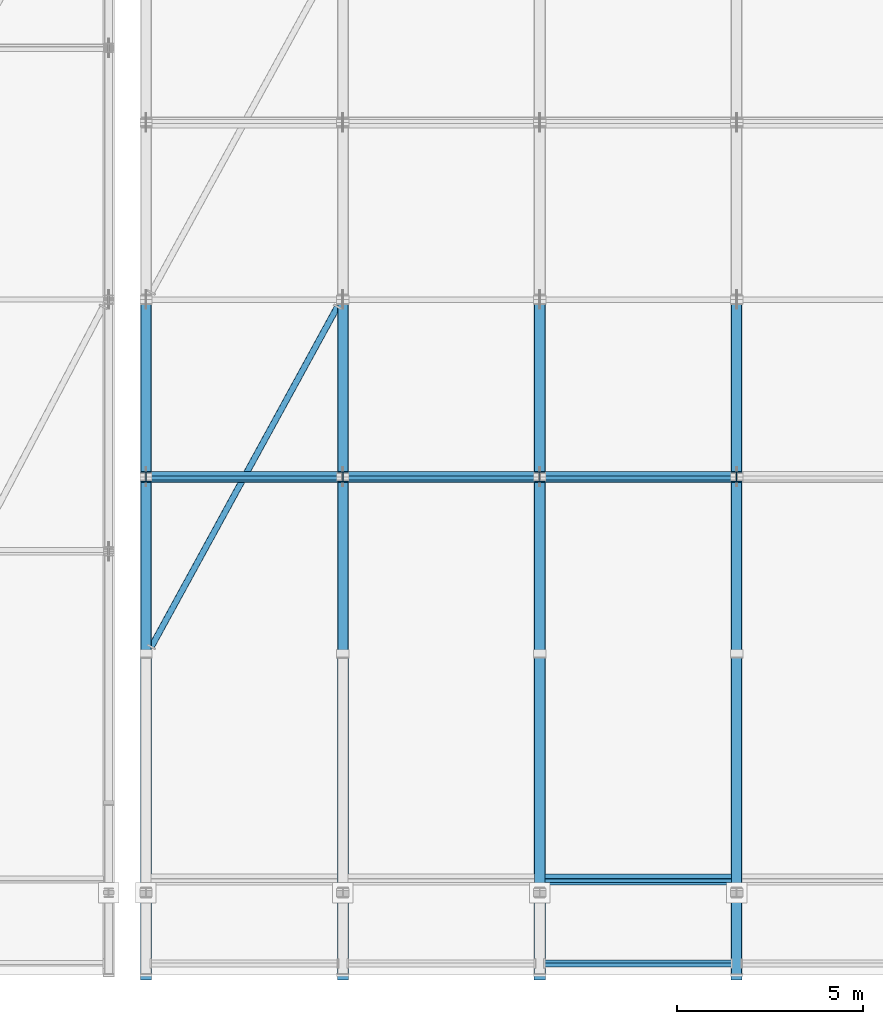
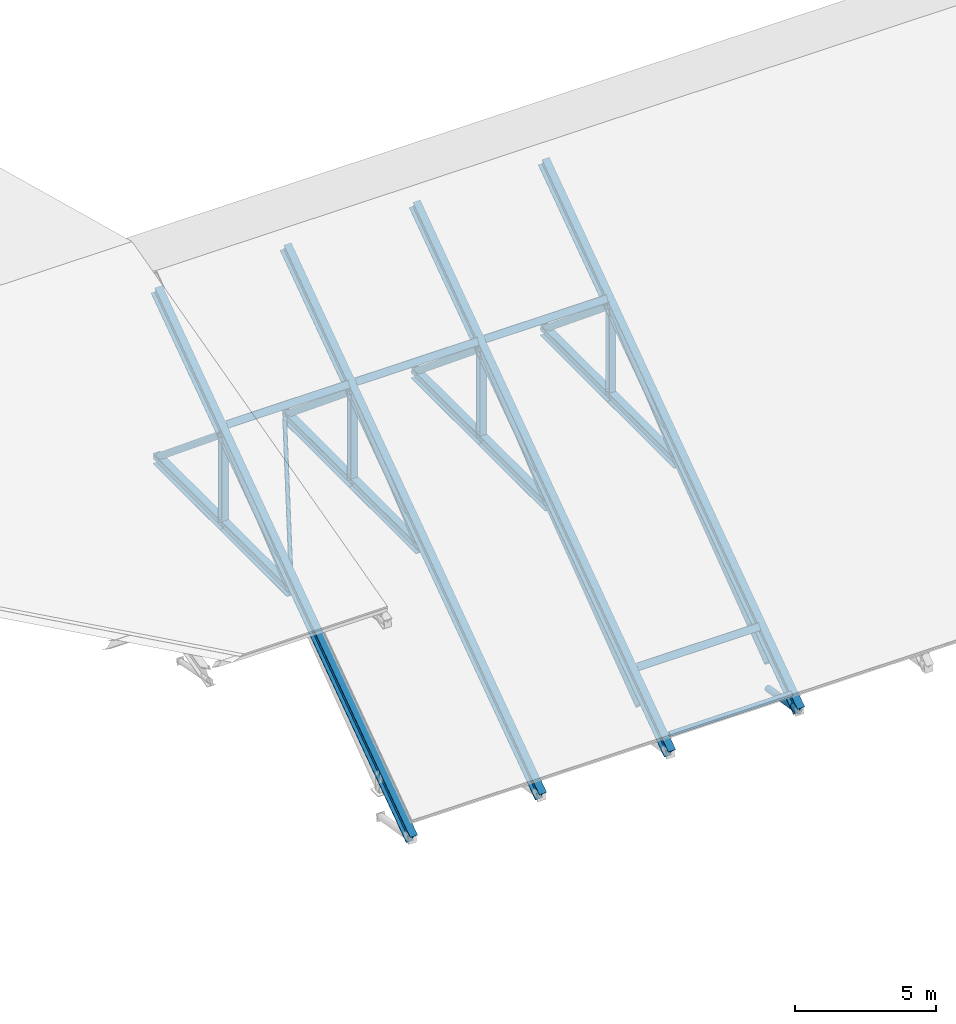
# One storey, part 9 of 57: 29 members, 4 beams.
"""IFC4 building model written with IfcOpenShell, lengths in metres."""

from ifc_helpers import new_model, si_unit, direction, frame, origin, origin_2d, place, context, subcontext, project, spatial, hollow_rectangle, hollow_circle, i_section, extrude, material, material_profile, profile_set, type_object, element, save


model = new_model("IFC4")

# Units and contexts
model_context = context("Model", 3, precision=1e-05, world=origin(), true_north=direction((0.0, 1.0)))
body_context = subcontext(model_context, "Body", "Model", "MODEL_VIEW")
ifc_project = project(units=[si_unit("LENGTHUNIT", "METRE"), si_unit("AREAUNIT", "SQUARE_METRE"), si_unit("VOLUMEUNIT", "CUBIC_METRE"), si_unit("PLANEANGLEUNIT", "RADIAN"), si_unit("MASSUNIT", "GRAM", prefix="KILO")], contexts=[model_context])

# Site, building, storey
site_placement = place(None, origin())
site = spatial("IfcSite", under=ifc_project, at=site_placement, CompositionType="ELEMENT")
building_placement = place(site_placement, origin())
building = spatial("IfcBuilding", under=site, at=building_placement, Name="Kelarvand Opera House", CompositionType="ELEMENT")
storey_placement = place(building_placement, frame((0.0, 0.0, 33.60009765625)))
storey = spatial("IfcBuildingStorey", under=building, at=storey_placement, Name="Roof", CompositionType="ELEMENT", Elevation=33.60009765625)

# Members
ifc_material = material(Name="Steel S355", Category="steel")
ifc_material_profile_1 = material_profile(ifc_material, hollow_circle(Radius=0.084228515625, WallThickness=0.008056640625, at=origin_2d()), Name="CHS 168.3x8.0", Category="steel")
ifc_profile_set_1 = profile_set([ifc_material_profile_1], Name="Steel S355")
member_type_1 = type_object("IfcMemberType", Name="Structural Brace CHS 168.3x8.0 BR-CHS168", PredefinedType="BRACE", material=ifc_profile_set_1)
member_1_placement = place(storey_placement, frame((89.14990234375, 53.199951171875, -4.800048828125), z_axis=(0.480061991754, 0.877234566164, 0.0), x_axis=(-0.877234566164, 0.480061991754, 0.0)))
element("IfcMember", 1, at=member_1_placement, inside=storey, type_object=member_type_1, Name="V1 Roof Wind Brace 1.1", PredefinedType="BRACE", context=body_context, shape_type="SweptSolid", body=[
    extrude(hollow_circle(Radius=0.084228515625, WallThickness=0.008056640625, at=origin_2d()), origin(), (0.0, 0.0, 1.0), 10.37353515625),
])
ifc_material_profile_2 = material_profile(ifc_material, hollow_circle(Radius=0.136474609375, WallThickness=0.012451171875, at=origin_2d()), Name="CHS 273.0x12.5", Category="steel")
ifc_profile_set_2 = profile_set([ifc_material_profile_2], Name="Steel S355")
member_type_2 = type_object("IfcMemberType", Name="Structural Brace CHS 273.0x12.5 BR-CHS273", PredefinedType="BRACE", material=ifc_profile_set_2)
for number, where, z_axis, x_axis, name in (
    (2, (89.0, 53.0, -4.800048828125), (0.0, 0.772175345454, 0.635409502504), (-1.0, 0.0, 0.0), "V1 Roof Truss 1 Web Diagonal 1"),
    (3, (89.0, 57.75, -0.891357421875), (0.0, 0.772175345454, -0.635409502504), (-1.0, 0.0, 0.0), "V1 Roof Truss 1 Web Diagonal 2"),
    (4, (94.280029296875, 53.0, -4.800048828125), (0.0, 0.772175345454, 0.635409502504), (-1.0, 0.0, 0.0), "V1 Roof Truss 2 Web Diagonal 1"),
    (5, (94.280029296875, 57.75, -0.891357421875), (0.0, 0.772175345454, -0.635409502504), (-1.0, 0.0, 0.0), "V1 Roof Truss 2 Web Diagonal 2"),
):
    element("IfcMember", number, at=place(storey_placement, frame(where, z_axis=z_axis, x_axis=x_axis)), inside=storey, type_object=member_type_2, Name=name, PredefinedType="BRACE", context=body_context, shape_type="SweptSolid", body=[
        extrude(hollow_circle(Radius=0.136474609375, WallThickness=0.012451171875, at=origin_2d()), origin(), (0.0, 0.0, 1.0), 6.1513671875),
    ])
member_2_placement = place(storey_placement, frame((99.56005859375, 46.60009765625, -9.60009765625), z_axis=(0.0, 0.799992675677, 0.60000976564), x_axis=(-1.0, 0.0, 0.0)))
element("IfcMember", 6, at=member_2_placement, inside=storey, type_object=member_type_2, Name="V1 Roof Truss 3 Support Tie S", PredefinedType="BRACE", context=body_context, shape_type="SweptSolid", body=[
    extrude(hollow_circle(Radius=0.136474609375, WallThickness=0.012451171875, at=origin_2d()), origin(), (0.0, 0.0, 1.0), 8.0),
])
for number, where, z_axis, x_axis, name in (
    (7, (99.56005859375, 53.0, -4.800048828125), (0.0, 0.772175345454, 0.635409502504), (-1.0, 0.0, 0.0), "V1 Roof Truss 3 Web Diagonal 1"),
    (8, (99.56005859375, 57.75, -0.891357421875), (0.0, 0.772175345454, -0.635409502504), (-1.0, 0.0, 0.0), "V1 Roof Truss 3 Web Diagonal 2"),
):
    element("IfcMember", number, at=place(storey_placement, frame(where, z_axis=z_axis, x_axis=x_axis)), inside=storey, type_object=member_type_2, Name=name, PredefinedType="BRACE", context=body_context, shape_type="SweptSolid", body=[
        extrude(hollow_circle(Radius=0.136474609375, WallThickness=0.012451171875, at=origin_2d()), origin(), (0.0, 0.0, 1.0), 6.1513671875),
    ])
member_3_placement = place(storey_placement, frame((104.840087890625, 46.60009765625, -10.7001953125), z_axis=(0.0, -0.986305042144, 0.164931391313), x_axis=(1.0, 0.0, 0.0)))
element("IfcMember", 9, at=member_3_placement, inside=storey, type_object=member_type_2, Name="V1 Roof Truss 4 Eave Knee Brace S", PredefinedType="BRACE", context=body_context, shape_type="SweptSolid", body=[
    extrude(hollow_circle(Radius=0.136474609375, WallThickness=0.012451171875, at=origin_2d()), origin(), (0.0, 0.0, 1.0), 2.230712890625),
])
member_4_placement = place(storey_placement, frame((104.840087890625, 46.60009765625, -9.60009765625), z_axis=(0.0, 0.799992675677, 0.60000976564), x_axis=(-1.0, 0.0, 0.0)))
element("IfcMember", 10, at=member_4_placement, inside=storey, type_object=member_type_2, Name="V1 Roof Truss 4 Support Tie S", PredefinedType="BRACE", context=body_context, shape_type="SweptSolid", body=[
    extrude(hollow_circle(Radius=0.136474609375, WallThickness=0.012451171875, at=origin_2d()), origin(), (0.0, 0.0, 1.0), 8.0),
])
for number, where, z_axis, x_axis, name in (
    (11, (104.840087890625, 53.0, -4.800048828125), (0.0, 0.772175345454, 0.635409502504), (-1.0, 0.0, 0.0), "V1 Roof Truss 4 Web Diagonal 1"),
    (12, (104.840087890625, 57.75, -0.891357421875), (0.0, 0.772175345454, -0.635409502504), (-1.0, 0.0, 0.0), "V1 Roof Truss 4 Web Diagonal 2"),
):
    element("IfcMember", number, at=place(storey_placement, frame(where, z_axis=z_axis, x_axis=x_axis)), inside=storey, type_object=member_type_2, Name=name, PredefinedType="BRACE", context=body_context, shape_type="SweptSolid", body=[
        extrude(hollow_circle(Radius=0.136474609375, WallThickness=0.012451171875, at=origin_2d()), origin(), (0.0, 0.0, 1.0), 6.1513671875),
    ])
ifc_material_profile_3 = material_profile(ifc_material, i_section(OverallWidth=0.300048828125, OverallDepth=0.449951171875, WebThickness=0.013916015625, FlangeThickness=0.02587890625, at=origin_2d()), Name="HEB 450", Category="steel")
ifc_profile_set_3 = profile_set([ifc_material_profile_3], Name="Steel S355")
member_type_3 = type_object("IfcMemberType", Name="Structural Chord HEB 450 CH-HEB450", PredefinedType="CHORD", material=ifc_profile_set_3)
for number, where, z_axis, x_axis, name in (
    (13, (89.0, 53.0, -4.800048828125), (0.0, 1.0, 0.0), (-1.0, 0.0, 0.0), "V1 Roof Truss 1 Bottom Chord 1"),
    (14, (89.0, 57.75, -4.800048828125), (0.0, 1.0, 0.0), (-1.0, 0.0, 0.0), "V1 Roof Truss 1 Bottom Chord 2"),
    (15, (94.280029296875, 53.0, -4.800048828125), (0.0, 1.0, 0.0), (-1.0, 0.0, 0.0), "V1 Roof Truss 2 Bottom Chord 1"),
    (16, (94.280029296875, 57.75, -4.800048828125), (0.0, 1.0, 0.0), (-1.0, 0.0, 0.0), "V1 Roof Truss 2 Bottom Chord 2"),
    (17, (99.56005859375, 53.0, -4.800048828125), (0.0, 1.0, 0.0), (-1.0, 0.0, 0.0), "V1 Roof Truss 3 Bottom Chord 1"),
    (18, (99.56005859375, 57.75, -4.800048828125), (0.0, 1.0, 0.0), (-1.0, 0.0, 0.0), "V1 Roof Truss 3 Bottom Chord 2"),
    (19, (104.840087890625, 53.0, -4.800048828125), (0.0, 1.0, 0.0), (-1.0, 0.0, 0.0), "V1 Roof Truss 4 Bottom Chord 1"),
    (20, (104.840087890625, 57.75, -4.800048828125), (0.0, 1.0, 0.0), (-1.0, 0.0, 0.0), "V1 Roof Truss 4 Bottom Chord 2"),
):
    element("IfcMember", number, at=place(storey_placement, frame(where, z_axis=z_axis, x_axis=x_axis)), inside=storey, type_object=member_type_3, Name=name, PredefinedType="CHORD", context=body_context, shape_type="SweptSolid", body=[
        extrude(i_section(OverallWidth=0.300048828125, OverallDepth=0.449951171875, WebThickness=0.013916015625, FlangeThickness=0.02587890625, at=origin_2d()), origin(), (0.0, 0.0, 1.0), 4.75),
    ])
ifc_material_profile_4 = material_profile(ifc_material, i_section(OverallWidth=0.280029296875, OverallDepth=0.280029296875, WebThickness=0.010498046875, FlangeThickness=0.01806640625, at=origin_2d()), Name="HEB 280", Category="steel")
ifc_profile_set_4 = profile_set([ifc_material_profile_4], Name="Steel S355")
member_type_4 = type_object("IfcMemberType", Name="Structural Post HEB 280 PS-HEB280", PredefinedType="POST", material=ifc_profile_set_4)
for number, where, z_axis, x_axis, name in (
    (21, (89.0, 57.75, -4.800048828125), (0.0, 0.0, 1.0), (1.0, 0.0, 0.0), "V1 Roof Truss 1 Post 1"),
    (22, (94.280029296875, 57.75, -4.800048828125), (0.0, 0.0, 1.0), (1.0, 0.0, 0.0), "V1 Roof Truss 2 Post 1"),
    (23, (99.56005859375, 57.75, -4.800048828125), (0.0, 0.0, 1.0), (1.0, 0.0, 0.0), "V1 Roof Truss 3 Post 1"),
    (24, (104.840087890625, 57.75, -4.800048828125), (0.0, 0.0, 1.0), (1.0, 0.0, 0.0), "V1 Roof Truss 4 Post 1"),
):
    element("IfcMember", number, at=place(storey_placement, frame(where, z_axis=z_axis, x_axis=x_axis)), inside=storey, type_object=member_type_4, Name=name, PredefinedType="POST", context=body_context, shape_type="SweptSolid", body=[
        extrude(i_section(OverallWidth=0.280029296875, OverallDepth=0.280029296875, WebThickness=0.010498046875, FlangeThickness=0.01806640625, at=origin_2d()), origin(), (0.0, 0.0, 1.0), 3.90869140625),
    ])
ifc_material_profile_5 = material_profile(ifc_material, i_section(OverallWidth=0.14990234375, OverallDepth=0.300048828125, WebThickness=0.007080078125, FlangeThickness=0.0107421875, at=origin_2d()), Name="IPE 300", Category="steel")
ifc_profile_set_5 = profile_set([ifc_material_profile_5], Name="Steel S355")
member_type_5 = type_object("IfcMemberType", Name="Structural Purlin IPE 300 PR-IPE300", PredefinedType="PURLIN", material=ifc_profile_set_5)
for number, where, z_axis, x_axis, name in (
    (25, (89.139892578125, 57.75, -0.548583984375), (1.0, 0.0, 0.0), (0.0, 0.816440043737, -0.577430216549), "V1 Roof Purlin 1.3"),
    (26, (94.419921875, 57.75, -0.548583984375), (1.0, 0.0, 0.0), (0.0, 0.816440043737, -0.577430216549), "V1 Roof Purlin 2.3"),
    (27, (99.699951171875, 46.949951171875, -8.18603515625), (1.0, 0.0, 0.0), (0.0, 0.816440043737, -0.577430216549), "V1 Roof Purlin 3.2"),
    (28, (99.699951171875, 57.75, -0.548583984375), (1.0, 0.0, 0.0), (0.0, 0.816440043737, -0.577430216549), "V1 Roof Purlin 3.3"),
):
    element("IfcMember", number, at=place(storey_placement, frame(where, z_axis=z_axis, x_axis=x_axis)), inside=storey, type_object=member_type_5, Name=name, PredefinedType="PURLIN", context=body_context, shape_type="SweptSolid", body=[
        extrude(i_section(OverallWidth=0.14990234375, OverallDepth=0.300048828125, WebThickness=0.007080078125, FlangeThickness=0.0107421875, at=origin_2d()), origin(), (0.0, 0.0, 1.0), 5.0),
    ])
ifc_material_profile_6 = material_profile(ifc_material, hollow_rectangle(XDim=0.10009765625, YDim=0.199951171875, WallThickness=0.008056640625, at=origin_2d()), Name="RHS 200x100x8.0", Category="steel")
ifc_profile_set_6 = profile_set([ifc_material_profile_6], Name="Steel S355")
member_type_6 = type_object("IfcMemberType", Name="Structural Purlin RHS 200x100x8.0 PR-RHS200E", PredefinedType="PURLIN", material=ifc_profile_set_6)
member_5_placement = place(storey_placement, frame((99.699951171875, 44.699951171875, -9.721923828125), z_axis=(1.0, 0.0, 0.0), x_axis=(0.0, 0.816440043737, -0.577430216549)))
element("IfcMember", 29, at=member_5_placement, inside=storey, type_object=member_type_6, Name="V1 Roof Purlin 3.1", PredefinedType="PURLIN", context=body_context, shape_type="SweptSolid", body=[
    extrude(hollow_rectangle(XDim=0.10009765625, YDim=0.199951171875, WallThickness=0.008056640625, at=origin_2d()), origin(), (0.0, 0.0, 1.0), 5.0),
])

# Beams
ifc_material_profile_7 = material_profile(ifc_material, i_section(OverallWidth=0.300048828125, OverallDepth=0.5, WebThickness=0.014404296875, FlangeThickness=0.028076171875, at=origin_2d()), Name="HEB 500", Category="steel")
ifc_profile_set_7 = profile_set([ifc_material_profile_7], Name="Steel S355")
beam_type = type_object("IfcBeamType", Name="Structural Roof Truss HEB 500 RT-HEB500", PredefinedType="USERDEFINED", material=ifc_profile_set_7)
for number, where, z_axis, x_axis, name in (
    (30, (89.0, 44.39990234375, -10.332275390625), (0.0, 0.816467936104, 0.577390776956), (-1.0, 0.0, 0.0), "V1 Roof Truss 1 Top Chord Rafter 1"),
    (31, (94.280029296875, 44.39990234375, -10.332275390625), (0.0, 0.816467936104, 0.577390776956), (-1.0, 0.0, 0.0), "V1 Roof Truss 2 Top Chord Rafter 1"),
    (32, (99.56005859375, 44.39990234375, -10.332275390625), (0.0, 0.816467936104, 0.577390776956), (-1.0, 0.0, 0.0), "V1 Roof Truss 3 Top Chord Rafter 1"),
    (33, (104.840087890625, 44.39990234375, -10.332275390625), (0.0, 0.816467936104, 0.577390776956), (-1.0, 0.0, 0.0), "V1 Roof Truss 4 Top Chord Rafter 1"),
):
    element("IfcBeam", number, at=place(storey_placement, frame(where, z_axis=z_axis, x_axis=x_axis)), inside=storey, type_object=beam_type, Name=name, ObjectType="ROOF TRUSS", PredefinedType="USERDEFINED", context=body_context, shape_type="SweptSolid", body=[
        extrude(i_section(OverallWidth=0.300048828125, OverallDepth=0.5, WebThickness=0.014404296875, FlangeThickness=0.028076171875, at=origin_2d()), origin(), (0.0, 0.0, 1.0), 22.168701171875),
    ])

save(model, "model.ifc")
